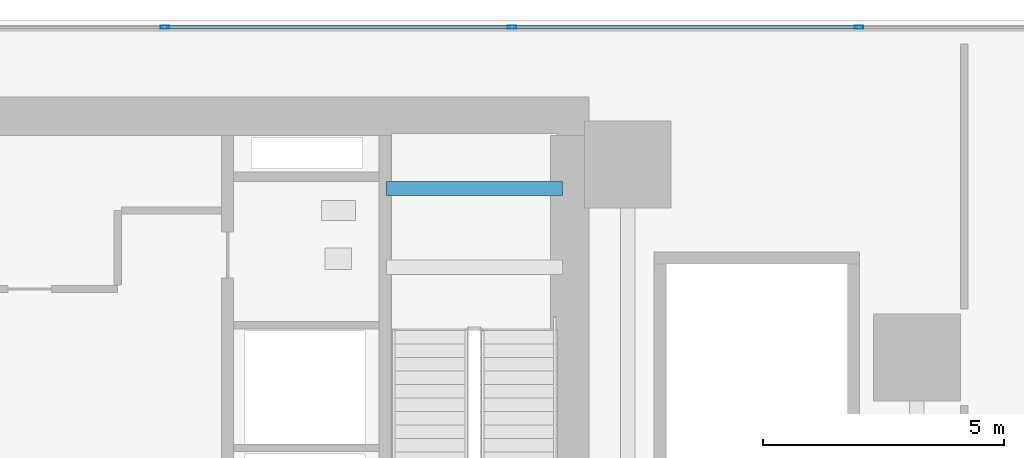
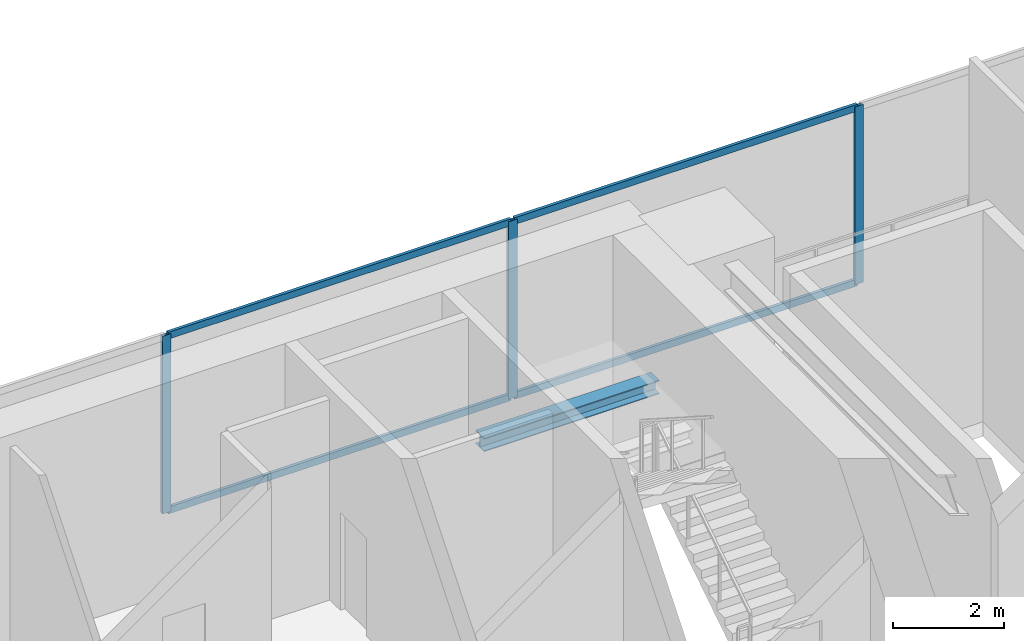
# One storey, part 6 of 15: 7 members, 1 beam, 1 element without a shape of its own.
"""IFC4 building model written with IfcOpenShell, lengths in metres."""

from ifc_helpers import new_model, si_unit, direction, frame, origin, origin_2d, place, context, subcontext, project, spatial, hollow_rectangle, i_section, extrude, source, transform, mapped, material, layer, layer_set, material_profile, profile_set, type_object, element, aggregate, save


model = new_model("IFC4")

# Units and contexts
model_context = context("Model", 3, precision=1e-05, world=origin(), true_north=direction((0.0, 1.0)))
body_context = subcontext(model_context, "Body", "Model", "MODEL_VIEW")
ifc_project = project(units=[si_unit("LENGTHUNIT", "METRE"), si_unit("AREAUNIT", "SQUARE_METRE"), si_unit("VOLUMEUNIT", "CUBIC_METRE"), si_unit("PLANEANGLEUNIT", "RADIAN"), si_unit("MASSUNIT", "GRAM", prefix="KILO")], contexts=[model_context])

# Site, building, storey
site_placement = place(None, origin())
site = spatial("IfcSite", under=ifc_project, at=site_placement, CompositionType="ELEMENT")
building_placement = place(site_placement, origin())
building = spatial("IfcBuilding", under=site, at=building_placement, Name="Sumidabori Civic Tower", CompositionType="ELEMENT")
storey_placement = place(building_placement, frame((0.0, 0.0, 18.949951171875)))
storey = spatial("IfcBuildingStorey", under=building, at=storey_placement, Name="L04", CompositionType="ELEMENT", Elevation=18.949951171875)

# Beam
ifc_material_1 = material(Name="Steel SN490", Category="steel")
ifc_material_profile_1 = material_profile(ifc_material_1, i_section(OverallWidth=0.300048828125, OverallDepth=0.300048828125, WebThickness=0.010986328125, FlangeThickness=0.01904296875, at=origin_2d()), Name="HE 300 B")
ifc_profile_set_1 = profile_set([ifc_material_profile_1], Name="Steel SN490")
beam_type = type_object("IfcBeamType", Name="BM-LDG-300", PredefinedType="BEAM", material=ifc_profile_set_1)
shared_shape_1 = source(origin(), body_context, "Body", "SweptSolid", [
    extrude(i_section(OverallWidth=0.300048828125, OverallDepth=0.300048828125, WebThickness=0.010986328125, FlangeThickness=0.01904296875, at=origin_2d()), origin(), (0.0, 0.0, 1.0), 3.64990234375),
])
beam_placement = place(storey_placement, frame((11.800048828125, 22.3046875, 1.97509765625), z_axis=(1.0, 0.0, 0.0), x_axis=(0.0, 1.0, 0.0)))
element("IfcBeam", 1, at=beam_placement, inside=storey, type_object=beam_type, Name="Stair ST-2 Landing Trimmer Beam L04-1B", PredefinedType="BEAM", context=body_context, shape_type="MappedRepresentation", body=[
    mapped(shared_shape_1, transform((0.0, 0.0, 0.0), x_axis=(1.0, 0.0, 0.0), y_axis=(0.0, 1.0, 0.0), z_axis=(0.0, 0.0, 1.0), scale=1.0)),
])

# Curtain wall, members
ifc_material_2 = material(Name="Anodised Bronze Aluminium AW-6063-T6", Category="aluminium")
ifc_layer = layer(ifc_material_2, 0.179931640625, Name="Anodised Bronze Aluminium AW-6063-T6")
ifc_layer_set = layer_set([ifc_layer], Name="Anodised Bronze Aluminium AW-6063-T6")
curtain_wall_type = type_object("IfcCurtainWallType", Name="CW-SYS-1", PredefinedType="NOTDEFINED", material=ifc_layer_set)
curtain_wall_placement = place(storey_placement, origin())
curtain_wall = element("IfcCurtainWall", 2, at=curtain_wall_placement, inside=storey, type_object=curtain_wall_type, Name="Curtain Wall CW:L04:NORTH", PredefinedType="NOTDEFINED")
ifc_material_profile_2 = material_profile(ifc_material_2, hollow_rectangle(XDim=0.070068359375, YDim=0.179931640625, WallThickness=0.006103515625, at=origin_2d()), Name="ALU MULLION 180x70")
ifc_profile_set_2 = profile_set([ifc_material_profile_2], Name="Anodised Bronze Aluminium AW-6063-T6")
member_type_1 = type_object("IfcMemberType", Name="CW-MUL-180", PredefinedType="MULLION", material=ifc_profile_set_2)
shared_shape_2 = source(origin(), body_context, "Body", "SweptSolid", [
    extrude(hollow_rectangle(XDim=0.070068359375, YDim=0.179931640625, WallThickness=0.006103515625, at=origin_2d()), origin(), (0.0, 0.0, 1.0), 3.91015625),
])
member_1_placement = place(storey_placement, frame((7.199951171875, 25.64990234375, 0.0), z_axis=(0.0, 0.0, 1.0), x_axis=(0.0, 1.0, 0.0)))
member_1 = element("IfcMember", 3, at=member_1_placement, type_object=member_type_1, Name="CW-1 mullion 6", PredefinedType="MULLION", context=body_context, shape_type="MappedRepresentation", body=[
    mapped(shared_shape_2, transform((0.0, 0.0, 0.0), x_axis=(1.0, 0.0, 0.0), y_axis=(0.0, 1.0, 0.0), z_axis=(0.0, 0.0, 1.0), scale=1.0)),
])
member_2_placement = place(storey_placement, frame((14.39990234375, 25.64990234375, 0.0), z_axis=(0.0, 0.0, 1.0), x_axis=(0.0, 1.0, 0.0)))
member_2 = element("IfcMember", 4, at=member_2_placement, type_object=member_type_1, Name="CW-1 mullion 7", PredefinedType="MULLION", context=body_context, shape_type="MappedRepresentation", body=[
    mapped(shared_shape_2, transform((0.0, 0.0, 0.0), x_axis=(1.0, 0.0, 0.0), y_axis=(0.0, 1.0, 0.0), z_axis=(0.0, 0.0, 1.0), scale=1.0)),
])
member_3_placement = place(storey_placement, frame((21.60009765625, 25.64990234375, 0.0), z_axis=(0.0, 0.0, 1.0), x_axis=(0.0, 1.0, 0.0)))
member_3 = element("IfcMember", 5, at=member_3_placement, type_object=member_type_1, Name="CW-1 mullion 8", PredefinedType="MULLION", context=body_context, shape_type="MappedRepresentation", body=[
    mapped(shared_shape_2, transform((0.0, 0.0, 0.0), x_axis=(1.0, 0.0, 0.0), y_axis=(0.0, 1.0, 0.0), z_axis=(0.0, 0.0, 1.0), scale=1.0)),
])
ifc_material_profile_3 = material_profile(ifc_material_2, hollow_rectangle(XDim=0.06494140625, YDim=0.14990234375, WallThickness=0.0048828125, at=origin_2d()), Name="ALU TRANSOM 150x65")
ifc_profile_set_3 = profile_set([ifc_material_profile_3], Name="Anodised Bronze Aluminium AW-6063-T6")
member_type_2 = type_object("IfcMemberType", Name="CW-TRN-150", PredefinedType="USERDEFINED", material=ifc_profile_set_3)
shared_shape_3 = source(origin(), body_context, "Body", "SweptSolid", [
    extrude(hollow_rectangle(XDim=0.06494140625, YDim=0.14990234375, WallThickness=0.0048828125, at=origin_2d()), origin(), (0.0, 0.0, 1.0), 7.1298828125),
])
member_4_placement = place(storey_placement, frame((7.235107421875, 25.64990234375, 0.032470703125), z_axis=(1.0, 0.0, 0.0), x_axis=(0.0, 1.0, 0.0)))
member_4 = element("IfcMember", 6, at=member_4_placement, type_object=member_type_2, Name="CW-1 transom 6.1", ObjectType="TRANSOM", PredefinedType="USERDEFINED", context=body_context, shape_type="MappedRepresentation", body=[
    mapped(shared_shape_3, transform((0.0, 0.0, 0.0), x_axis=(1.0, 0.0, 0.0), y_axis=(0.0, 1.0, 0.0), z_axis=(0.0, 0.0, 1.0), scale=1.0)),
])
member_5_placement = place(storey_placement, frame((7.235107421875, 25.64990234375, 3.87744140625), z_axis=(1.0, 0.0, 0.0), x_axis=(0.0, 1.0, 0.0)))
member_5 = element("IfcMember", 7, at=member_5_placement, type_object=member_type_2, Name="CW-1 transom 6.2", ObjectType="TRANSOM", PredefinedType="USERDEFINED", context=body_context, shape_type="MappedRepresentation", body=[
    mapped(shared_shape_3, transform((0.0, 0.0, 0.0), x_axis=(1.0, 0.0, 0.0), y_axis=(0.0, 1.0, 0.0), z_axis=(0.0, 0.0, 1.0), scale=1.0)),
])
member_6_placement = place(storey_placement, frame((14.43505859375, 25.64990234375, 0.032470703125), z_axis=(1.0, 0.0, 0.0), x_axis=(0.0, 1.0, 0.0)))
member_6 = element("IfcMember", 8, at=member_6_placement, type_object=member_type_2, Name="CW-1 transom 7.1", ObjectType="TRANSOM", PredefinedType="USERDEFINED", context=body_context, shape_type="MappedRepresentation", body=[
    mapped(shared_shape_3, transform((0.0, 0.0, 0.0), x_axis=(1.0, 0.0, 0.0), y_axis=(0.0, 1.0, 0.0), z_axis=(0.0, 0.0, 1.0), scale=1.0)),
])
member_7_placement = place(storey_placement, frame((14.43505859375, 25.64990234375, 3.87744140625), z_axis=(1.0, 0.0, 0.0), x_axis=(0.0, 1.0, 0.0)))
member_7 = element("IfcMember", 9, at=member_7_placement, type_object=member_type_2, Name="CW-1 transom 7.2", ObjectType="TRANSOM", PredefinedType="USERDEFINED", context=body_context, shape_type="MappedRepresentation", body=[
    mapped(shared_shape_3, transform((0.0, 0.0, 0.0), x_axis=(1.0, 0.0, 0.0), y_axis=(0.0, 1.0, 0.0), z_axis=(0.0, 0.0, 1.0), scale=1.0)),
])
aggregate(curtain_wall, [member_1, member_2, member_3, member_4, member_5, member_6, member_7])

save(model, "model.ifc")
